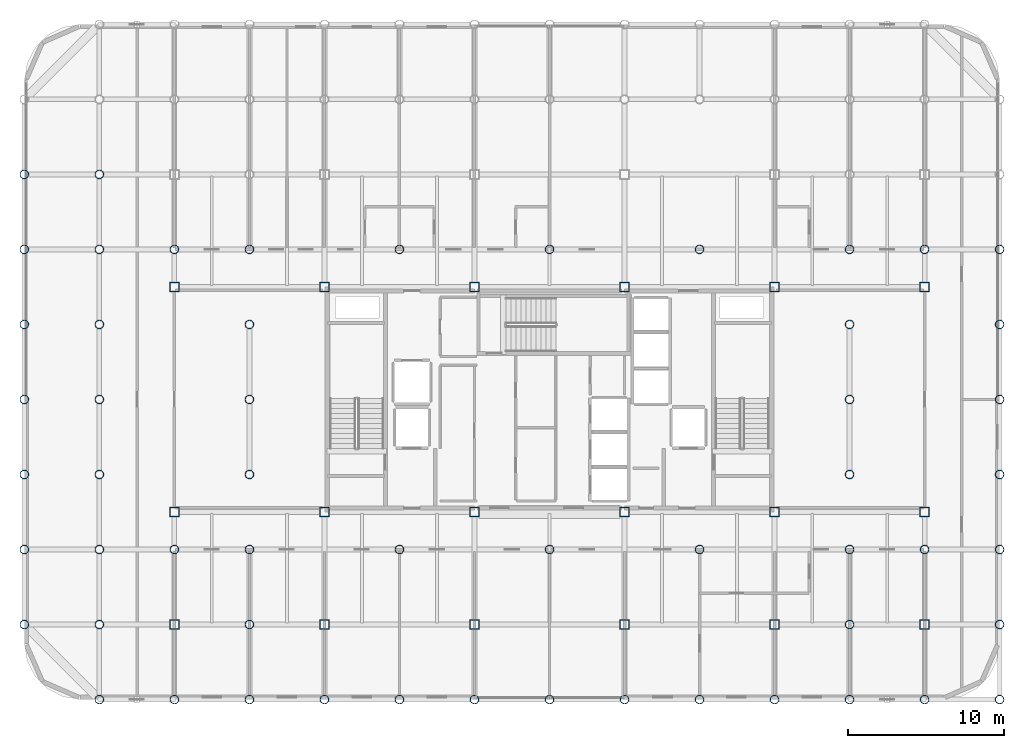
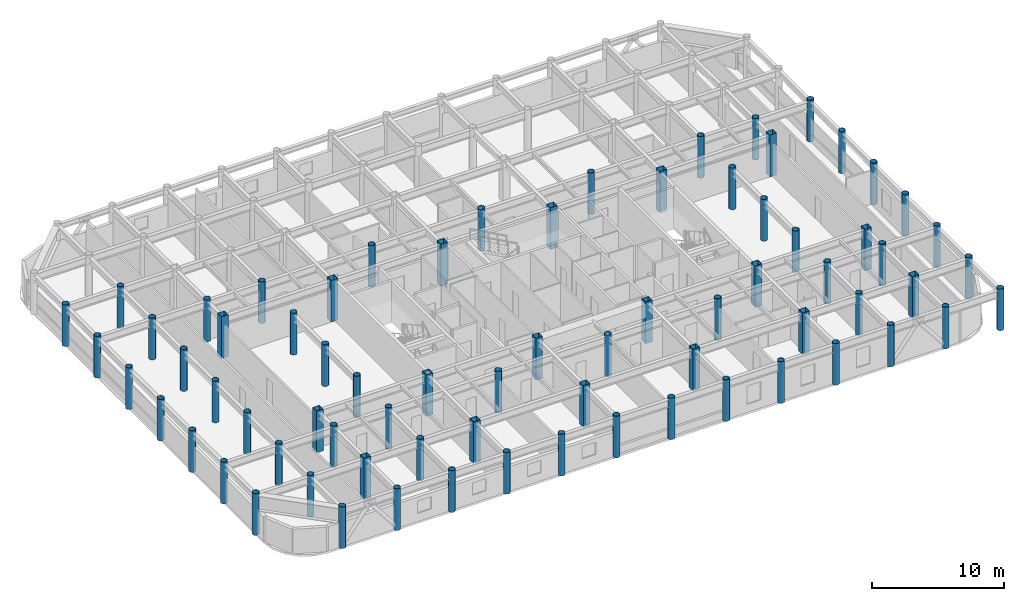
# One storey, part 1 of 22: 73 columns.
"""IFC4 building model written with IfcOpenShell, lengths in metres."""

from ifc_helpers import new_model, si_unit, direction, frame, origin, origin_2d, place, context, subcontext, project, spatial, hollow_rectangle, hollow_circle, extrude, material, material_profile, profile_set, type_object, element, save


model = new_model("IFC4")

# Units and contexts
model_context = context("Model", 3, precision=1e-05, world=origin(), true_north=direction((0.0, 1.0)))
body_context = subcontext(model_context, "Body", "Model", "MODEL_VIEW")
ifc_project = project(units=[si_unit("LENGTHUNIT", "METRE"), si_unit("AREAUNIT", "SQUARE_METRE"), si_unit("VOLUMEUNIT", "CUBIC_METRE"), si_unit("PLANEANGLEUNIT", "RADIAN"), si_unit("MASSUNIT", "GRAM", prefix="KILO")], contexts=[model_context])

# Site, building, storey
site_placement = place(None, origin())
site = spatial("IfcSite", under=ifc_project, at=site_placement, CompositionType="ELEMENT")
building_placement = place(site_placement, origin())
building = spatial("IfcBuilding", under=site, at=building_placement, Name="Kallvorn Hotel Tower", CompositionType="ELEMENT")
storey_placement = place(building_placement, frame((0.0, 0.0, 256.949951171875)))
storey = spatial("IfcBuildingStorey", under=building, at=storey_placement, Name="L64", CompositionType="ELEMENT", Elevation=256.949951171875)

# Columns
ifc_material_1 = material(Name="Structural steel S355J2H", Category="steel")
ifc_material_profile_1 = material_profile(ifc_material_1, hollow_circle(Radius=0.279541015625, WallThickness=0.02490234375, at=origin_2d()), Name="CHS 559x25")
ifc_profile_set_1 = profile_set([ifc_material_profile_1], Name="Structural steel S355J2H")
column_type_1 = type_object("IfcColumnType", Name="COL_CHS_559", PredefinedType="COLUMN", material=ifc_profile_set_1)
for number, where, z_axis, x_axis, name in (
    (1, (-33.60009765625, -14.39990234375, 0.0), (0.0, 0.0, 1.0), (1.0, 0.0, 0.0), "L64 Exoskeleton Column EC01"),
    (2, (-33.60009765625, -9.60009765625, 0.0), (0.0, 0.0, 1.0), (1.0, 0.0, 0.0), "L64 Exoskeleton Column EC02"),
    (3, (-33.60009765625, -4.800048828125, 0.0), (0.0, 0.0, 1.0), (1.0, 0.0, 0.0), "L64 Exoskeleton Column EC03"),
    (4, (-33.60009765625, 0.0, 0.0), (0.0, 0.0, 1.0), (1.0, 0.0, 0.0), "L64 Exoskeleton Column EC04"),
    (5, (-33.60009765625, 4.800048828125, 0.0), (0.0, 0.0, 1.0), (1.0, 0.0, 0.0), "L64 Exoskeleton Column EC05"),
    (6, (-33.60009765625, 9.60009765625, 0.0), (0.0, 0.0, 1.0), (1.0, 0.0, 0.0), "L64 Exoskeleton Column EC06"),
    (7, (-33.60009765625, 14.39990234375, 0.0), (0.0, 0.0, 1.0), (1.0, 0.0, 0.0), "L64 Exoskeleton Column EC07"),
    (8, (-28.800048828125, -19.199951171875, 0.0), (0.0, 0.0, 1.0), (1.0, 0.0, 0.0), "L64 Exoskeleton Column EC09"),
    (9, (-28.800048828125, -14.39990234375, 0.0), (0.0, 0.0, 1.0), (1.0, 0.0, 0.0), "L64 Exoskeleton Column EC10"),
    (10, (-28.800048828125, -9.60009765625, 0.0), (0.0, 0.0, 1.0), (1.0, 0.0, 0.0), "L64 Exoskeleton Column EC11"),
    (11, (-28.800048828125, -4.800048828125, 0.0), (0.0, 0.0, 1.0), (1.0, 0.0, 0.0), "L64 Exoskeleton Column EC12"),
    (12, (-28.800048828125, 0.0, 0.0), (0.0, 0.0, 1.0), (1.0, 0.0, 0.0), "L64 Exoskeleton Column EC13"),
    (13, (-28.800048828125, 4.800048828125, 0.0), (0.0, 0.0, 1.0), (1.0, 0.0, 0.0), "L64 Exoskeleton Column EC14"),
    (14, (-28.800048828125, 9.60009765625, 0.0), (0.0, 0.0, 1.0), (1.0, 0.0, 0.0), "L64 Exoskeleton Column EC15"),
    (15, (-28.800048828125, 14.39990234375, 0.0), (0.0, 0.0, 1.0), (1.0, 0.0, 0.0), "L64 Exoskeleton Column EC16"),
    (16, (-24.0, -19.199951171875, 0.0), (0.0, 0.0, 1.0), (1.0, 0.0, 0.0), "L64 Exoskeleton Column EC19"),
    (17, (-24.0, -9.60009765625, 0.0), (0.0, 0.0, 1.0), (1.0, 0.0, 0.0), "L64 Exoskeleton Column EC20"),
    (18, (-24.0, 9.60009765625, 0.0), (0.0, 0.0, 1.0), (1.0, 0.0, 0.0), "L64 Exoskeleton Column EC21"),
    (19, (-19.199951171875, -19.199951171875, 0.0), (0.0, 0.0, 1.0), (1.0, 0.0, 0.0), "L64 Exoskeleton Column EC24"),
    (20, (-19.199951171875, -14.39990234375, 0.0), (0.0, 0.0, 1.0), (1.0, 0.0, 0.0), "L64 Exoskeleton Column EC25"),
    (21, (-19.199951171875, -9.60009765625, 0.0), (0.0, 0.0, 1.0), (1.0, 0.0, 0.0), "L64 Exoskeleton Column EC26"),
    (22, (-19.199951171875, -4.800048828125, 0.0), (0.0, 0.0, 1.0), (1.0, 0.0, 0.0), "L64 Exoskeleton Column EC27"),
    (23, (-19.199951171875, 0.0, 0.0), (0.0, 0.0, 1.0), (1.0, 0.0, 0.0), "L64 Exoskeleton Column EC28"),
    (24, (-19.199951171875, 4.800048828125, 0.0), (0.0, 0.0, 1.0), (1.0, 0.0, 0.0), "L64 Exoskeleton Column EC29"),
    (25, (-19.199951171875, 9.60009765625, 0.0), (0.0, 0.0, 1.0), (1.0, 0.0, 0.0), "L64 Exoskeleton Column EC30"),
    (26, (-14.39990234375, -19.199951171875, 0.0), (0.0, 0.0, 1.0), (1.0, 0.0, 0.0), "L64 Exoskeleton Column EC34"),
    (27, (-9.60009765625, -19.199951171875, 0.0), (0.0, 0.0, 1.0), (1.0, 0.0, 0.0), "L64 Exoskeleton Column EC37"),
    (28, (-9.60009765625, -9.60009765625, 0.0), (0.0, 0.0, 1.0), (1.0, 0.0, 0.0), "L64 Exoskeleton Column EC38"),
    (29, (-9.60009765625, 9.60009765625, 0.0), (0.0, 0.0, 1.0), (1.0, 0.0, 0.0), "L64 Exoskeleton Column EC39"),
    (30, (-4.800048828125, -19.199951171875, 0.0), (0.0, 0.0, 1.0), (1.0, 0.0, 0.0), "L64 Exoskeleton Column EC42"),
    (31, (0.0, -19.199951171875, 0.0), (0.0, 0.0, 1.0), (1.0, 0.0, 0.0), "L64 Exoskeleton Column EC45"),
    (32, (0.0, -9.60009765625, 0.0), (0.0, 0.0, 1.0), (1.0, 0.0, 0.0), "L64 Exoskeleton Column EC46"),
    (33, (0.0, 9.60009765625, 0.0), (0.0, 0.0, 1.0), (1.0, 0.0, 0.0), "L64 Exoskeleton Column EC47"),
    (34, (4.800048828125, -19.199951171875, 0.0), (0.0, 0.0, 1.0), (1.0, 0.0, 0.0), "L64 Exoskeleton Column EC50"),
    (35, (9.60009765625, -19.199951171875, 0.0), (0.0, 0.0, 1.0), (1.0, 0.0, 0.0), "L64 Exoskeleton Column EC53"),
    (36, (9.60009765625, -9.60009765625, 0.0), (0.0, 0.0, 1.0), (1.0, 0.0, 0.0), "L64 Exoskeleton Column EC54"),
    (37, (9.60009765625, 9.60009765625, 0.0), (0.0, 0.0, 1.0), (1.0, 0.0, 0.0), "L64 Exoskeleton Column EC55"),
    (38, (14.39990234375, -19.199951171875, 0.0), (0.0, 0.0, 1.0), (1.0, 0.0, 0.0), "L64 Exoskeleton Column EC58"),
    (39, (19.199951171875, -19.199951171875, 0.0), (0.0, 0.0, 1.0), (1.0, 0.0, 0.0), "L64 Exoskeleton Column EC61"),
    (40, (19.199951171875, -14.39990234375, 0.0), (0.0, 0.0, 1.0), (1.0, 0.0, 0.0), "L64 Exoskeleton Column EC62"),
    (41, (19.199951171875, -9.60009765625, 0.0), (0.0, 0.0, 1.0), (1.0, 0.0, 0.0), "L64 Exoskeleton Column EC63"),
    (42, (19.199951171875, -4.800048828125, 0.0), (0.0, 0.0, 1.0), (1.0, 0.0, 0.0), "L64 Exoskeleton Column EC64"),
    (43, (19.199951171875, 0.0, 0.0), (0.0, 0.0, 1.0), (1.0, 0.0, 0.0), "L64 Exoskeleton Column EC65"),
    (44, (19.199951171875, 4.800048828125, 0.0), (0.0, 0.0, 1.0), (1.0, 0.0, 0.0), "L64 Exoskeleton Column EC66"),
    (45, (19.199951171875, 9.60009765625, 0.0), (0.0, 0.0, 1.0), (1.0, 0.0, 0.0), "L64 Exoskeleton Column EC67"),
    (46, (24.0, -19.199951171875, 0.0), (0.0, 0.0, 1.0), (1.0, 0.0, 0.0), "L64 Exoskeleton Column EC71"),
    (47, (24.0, -9.60009765625, 0.0), (0.0, 0.0, 1.0), (1.0, 0.0, 0.0), "L64 Exoskeleton Column EC72"),
    (48, (24.0, 9.60009765625, 0.0), (0.0, 0.0, 1.0), (1.0, 0.0, 0.0), "L64 Exoskeleton Column EC73"),
    (49, (28.800048828125, -19.199951171875, 0.0), (0.0, 0.0, 1.0), (1.0, 0.0, 0.0), "L64 Exoskeleton Column EC76"),
    (50, (28.800048828125, -14.39990234375, 0.0), (0.0, 0.0, 1.0), (1.0, 0.0, 0.0), "L64 Exoskeleton Column EC77"),
    (51, (28.800048828125, -9.60009765625, 0.0), (0.0, 0.0, 1.0), (1.0, 0.0, 0.0), "L64 Exoskeleton Column EC78"),
    (52, (28.800048828125, -4.800048828125, 0.0), (0.0, 0.0, 1.0), (1.0, 0.0, 0.0), "L64 Exoskeleton Column EC79"),
    (53, (28.800048828125, 0.0, 0.0), (0.0, 0.0, 1.0), (1.0, 0.0, 0.0), "L64 Exoskeleton Column EC80"),
    (54, (28.800048828125, 4.800048828125, 0.0), (0.0, 0.0, 1.0), (1.0, 0.0, 0.0), "L64 Exoskeleton Column EC81"),
    (55, (28.800048828125, 9.60009765625, 0.0), (0.0, 0.0, 1.0), (1.0, 0.0, 0.0), "L64 Exoskeleton Column EC82"),
):
    element("IfcColumn", number, at=place(storey_placement, frame(where, z_axis=z_axis, x_axis=x_axis)), inside=storey, type_object=column_type_1, Name=name, PredefinedType="COLUMN", context=body_context, shape_type="SweptSolid", body=[
        extrude(hollow_circle(Radius=0.279541015625, WallThickness=0.02490234375, at=origin_2d()), origin(), (0.0, 0.0, 1.0), 3.85009765625),
    ])
ifc_material_2 = material(Name="Structural steel S355J2H", Category="steel")
ifc_material_profile_2 = material_profile(ifc_material_2, hollow_rectangle(XDim=0.60009765625, YDim=0.60009765625, WallThickness=0.028076171875, at=origin_2d()), Name="RHS 600x600x28")
ifc_profile_set_2 = profile_set([ifc_material_profile_2], Name="Structural steel S355J2H")
column_type_2 = type_object("IfcColumnType", Name="COL_RHS_600", PredefinedType="COLUMN", material=ifc_profile_set_2)
for number, where, z_axis, x_axis, name in (
    (56, (-24.0, -14.39990234375, 0.0), (0.0, 0.0, 1.0), (1.0, 0.0, 0.0), "L64 Inner Column IC01"),
    (57, (-24.0, -7.199951171875, 0.0), (0.0, 0.0, 1.0), (1.0, 0.0, 0.0), "L64 Inner Column IC02"),
    (58, (-24.0, 7.199951171875, 0.0), (0.0, 0.0, 1.0), (1.0, 0.0, 0.0), "L64 Inner Column IC03"),
    (59, (-14.39990234375, -14.39990234375, 0.0), (0.0, 0.0, 1.0), (1.0, 0.0, 0.0), "L64 Inner Column IC05"),
    (60, (-14.39990234375, -7.199951171875, 0.0), (0.0, 0.0, 1.0), (1.0, 0.0, 0.0), "L64 Inner Column IC06"),
    (61, (-14.39990234375, 7.199951171875, 0.0), (0.0, 0.0, 1.0), (1.0, 0.0, 0.0), "L64 Inner Column IC07"),
    (62, (-4.800048828125, -14.39990234375, 0.0), (0.0, 0.0, 1.0), (1.0, 0.0, 0.0), "L64 Inner Column IC09"),
    (63, (-4.800048828125, -7.199951171875, 0.0), (0.0, 0.0, 1.0), (1.0, 0.0, 0.0), "L64 Inner Column IC10"),
    (64, (-4.800048828125, 7.199951171875, 0.0), (0.0, 0.0, 1.0), (1.0, 0.0, 0.0), "L64 Inner Column IC11"),
    (65, (4.800048828125, -14.39990234375, 0.0), (0.0, 0.0, 1.0), (1.0, 0.0, 0.0), "L64 Inner Column IC13"),
    (66, (4.800048828125, -7.199951171875, 0.0), (0.0, 0.0, 1.0), (1.0, 0.0, 0.0), "L64 Inner Column IC14"),
    (67, (4.800048828125, 7.199951171875, 0.0), (0.0, 0.0, 1.0), (1.0, 0.0, 0.0), "L64 Inner Column IC15"),
    (68, (14.39990234375, -14.39990234375, 0.0), (0.0, 0.0, 1.0), (1.0, 0.0, 0.0), "L64 Inner Column IC17"),
    (69, (14.39990234375, -7.199951171875, 0.0), (0.0, 0.0, 1.0), (1.0, 0.0, 0.0), "L64 Inner Column IC18"),
    (70, (14.39990234375, 7.199951171875, 0.0), (0.0, 0.0, 1.0), (1.0, 0.0, 0.0), "L64 Inner Column IC19"),
    (71, (24.0, -14.39990234375, 0.0), (0.0, 0.0, 1.0), (1.0, 0.0, 0.0), "L64 Inner Column IC21"),
    (72, (24.0, -7.199951171875, 0.0), (0.0, 0.0, 1.0), (1.0, 0.0, 0.0), "L64 Inner Column IC22"),
    (73, (24.0, 7.199951171875, 0.0), (0.0, 0.0, 1.0), (1.0, 0.0, 0.0), "L64 Inner Column IC23"),
):
    element("IfcColumn", number, at=place(storey_placement, frame(where, z_axis=z_axis, x_axis=x_axis)), inside=storey, type_object=column_type_2, Name=name, PredefinedType="COLUMN", context=body_context, shape_type="SweptSolid", body=[
        extrude(hollow_rectangle(XDim=0.60009765625, YDim=0.60009765625, WallThickness=0.028076171875, at=origin_2d()), origin(), (0.0, 0.0, 1.0), 3.85009765625),
    ])

save(model, "model.ifc")
